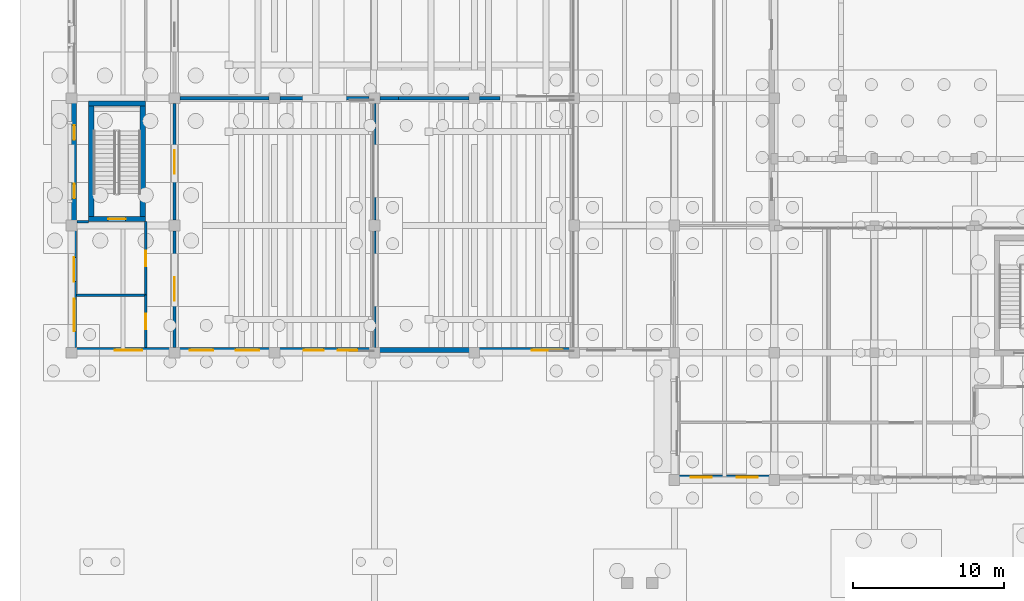
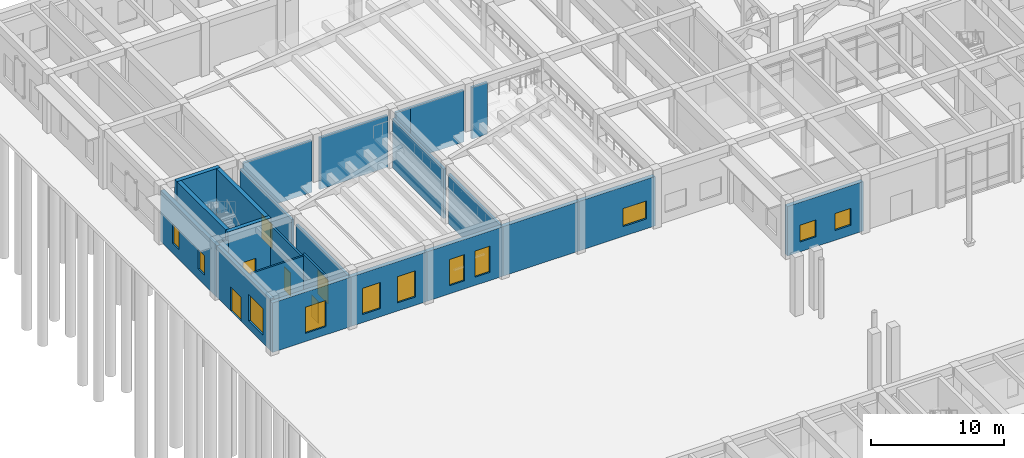
# One storey, part 54 of 82: 25 walls, 11 windows, 6 doors, 17 openings.
"""IFC4 building model written with IfcOpenShell, lengths in metres."""

from ifc_helpers import new_model, si_unit, direction, frame, frame_2d, origin, place, context, subcontext, project, spatial, rectangle, extrude, material, layer, layer_set, type_object, element, fill, save


model = new_model("IFC4")

# Units and contexts
model_context = context("Model", 3, precision=1e-05, world=origin(), true_north=direction((0.0, 1.0)))
body_context = subcontext(model_context, "Body", "Model", "MODEL_VIEW")
ifc_project = project(units=[si_unit("LENGTHUNIT", "METRE"), si_unit("AREAUNIT", "SQUARE_METRE"), si_unit("VOLUMEUNIT", "CUBIC_METRE"), si_unit("PLANEANGLEUNIT", "RADIAN"), si_unit("MASSUNIT", "GRAM", prefix="KILO")], contexts=[model_context])

# Site, building, storey
site_placement = place(None, origin())
site = spatial("IfcSite", under=ifc_project, at=site_placement, CompositionType="ELEMENT")
building_placement = place(site_placement, origin())
building = spatial("IfcBuilding", under=site, at=building_placement, Name="Kolvaren Faculty of Natural Sciences", CompositionType="ELEMENT")
storey_placement = place(building_placement, origin())
storey = spatial("IfcBuildingStorey", under=building, at=storey_placement, Name="L00", CompositionType="ELEMENT", Elevation=0.0)

# Walls
ifc_material_1 = material(Name="Autoclaved aerated fire-rated masonry blockwork", Category="masonry")
ifc_layer_1 = layer(ifc_material_1, 0.2099609375)
ifc_layer_set_1 = layer_set([ifc_layer_1], Name="Autoclaved aerated fire-rated masonry blockwork")
wall_type_1 = type_object("IfcWallType", Name="AcousticLectureWall_210", PredefinedType="PARTITIONING", material=ifc_layer_set_1)
wall_1_placement = place(storey_placement, frame((21.60009765625, 92.60009765625, 0.0), z_axis=(0.0, 0.0, 1.0), x_axis=(-1.0, 0.0, 0.0)))
element("IfcWall", 1, at=wall_1_placement, inside=storey, type_object=wall_type_1, Name="L00 interior partition PW-210", PredefinedType="PARTITIONING", context=body_context, shape_type="SweptSolid", body=[
    extrude(rectangle(XDim=1.25, YDim=0.2099609375, at=frame_2d((0.625, 0.0))), origin(), (0.0, 0.0, 1.0), 4.735107421875),
])
wall_2_placement = place(storey_placement, frame((19.64990234375, 92.60009765625, 0.0), z_axis=(0.0, 0.0, 1.0), x_axis=(-1.0, 0.0, 0.0)))
element("IfcWall", 2, at=wall_2_placement, inside=storey, type_object=wall_type_1, Name="L00 interior partition PW-210", PredefinedType="PARTITIONING", context=body_context, shape_type="SweptSolid", body=[
    extrude(rectangle(XDim=5.89990234375, YDim=0.2099609375, at=frame_2d((2.949951171875, 0.0))), origin(), (0.0, 0.0, 1.0), 4.735107421875),
])
wall_3_placement = place(storey_placement, frame((13.050048828125, 92.60009765625, 0.0), z_axis=(0.0, 0.0, 1.0), x_axis=(-1.0, 0.0, 0.0)))
element("IfcWall", 3, at=wall_3_placement, inside=storey, type_object=wall_type_1, Name="L00 interior partition PW-210", PredefinedType="PARTITIONING", context=body_context, shape_type="SweptSolid", body=[
    extrude(rectangle(XDim=5.900146484375, YDim=0.2099609375, at=frame_2d((2.9501953125, 0.0))), origin(), (0.0, 0.0, 1.0), 4.735107421875),
])

# Wall, opening, door
wall_4_placement = place(storey_placement, frame((6.800048828125, 76.14990234375, 0.0), z_axis=(0.0, 0.0, 1.0), x_axis=(0.0, 1.0, 0.0)))
wall_4 = element("IfcWall", 4, at=wall_4_placement, inside=storey, type_object=wall_type_1, Name="L00 interior partition PW-210", PredefinedType="PARTITIONING", context=body_context, shape_type="SweptSolid", body=[
    extrude(rectangle(XDim=7.7001953125, YDim=0.2099609375, at=frame_2d((3.85009765625, 0.0))), origin(), (0.0, 0.0, 1.0), 4.534912109375),
])
opening_1_placement = place(wall_4_placement, frame((3.074951171875, 0.0, 0.0)))
opening_1 = element("IfcOpeningElement", 5, at=opening_1_placement, cuts=wall_4, Name="Opening FD30-D", PredefinedType="OPENING", context=body_context, shape_type="SweptSolid", body=[
    extrude(rectangle(XDim=1.550048828125, YDim=2.199951171875, at=frame_2d((0.77490234375, 1.10009765625))), frame((0.0, 0.114990234375, 0.0), z_axis=(0.0, -1.0, 0.0), x_axis=(1.0, 0.0, 0.0)), (0.0, 0.0, 1.0), 0.22998046875),
])
ifc_material_2 = material(Name="Fire-rated solid-core hardwood door leaf in steel frame", Category="steel")
door_type_1 = type_object("IfcDoorType", Name="AssemblyDoubleFireDoor_1550x2200", OperationType="DOUBLE_DOOR_SINGLE_SWING", PredefinedType="DOOR", material=ifc_material_2)
door_1_placement = place(opening_1_placement, origin())
door_1 = element("IfcDoor", 6, at=door_1_placement, inside=storey, type_object=door_type_1, Name="D-L00-0041", OperationType="DOUBLE_DOOR_SINGLE_SWING", OverallHeight=2.199951171875, OverallWidth=1.550048828125, PredefinedType="DOOR", context=body_context, shape_type="SweptSolid", body=[
    extrude(rectangle(XDim=1.550048828125, YDim=2.199951171875, at=frame_2d((0.77490234375, 1.10009765625))), frame((0.0, 0.02490234375, 0.0), z_axis=(0.0, -1.0, 0.0), x_axis=(1.0, 0.0, 0.0)), (0.0, 0.0, 1.0), 0.050048828125),
])
fill(opening_1, door_1)

wall_5_placement = place(storey_placement, frame((6.800048828125, 84.550048828125, 0.0), z_axis=(0.0, 0.0, 1.0), x_axis=(0.0, 1.0, 0.0)))
wall_5 = element("IfcWall", 7, at=wall_5_placement, inside=storey, type_object=wall_type_1, Name="L00 interior partition PW-210", PredefinedType="PARTITIONING", context=body_context, shape_type="SweptSolid", body=[
    extrude(rectangle(XDim=7.699951171875, YDim=0.2099609375, at=frame_2d((3.85009765625, 0.0))), origin(), (0.0, 0.0, 1.0), 4.534912109375),
])
opening_2_placement = place(wall_5_placement, frame((3.074951171875, 0.0, 0.0)))
opening_2 = element("IfcOpeningElement", 8, at=opening_2_placement, cuts=wall_5, Name="Opening FD30-D", PredefinedType="OPENING", context=body_context, shape_type="SweptSolid", body=[
    extrude(rectangle(XDim=1.550048828125, YDim=2.199951171875, at=frame_2d((0.77490234375, 1.10009765625))), frame((0.0, 0.114990234375, 0.0), z_axis=(0.0, -1.0, 0.0), x_axis=(1.0, 0.0, 0.0)), (0.0, 0.0, 1.0), 0.22998046875),
])
door_2_placement = place(opening_2_placement, origin())
door_2 = element("IfcDoor", 9, at=door_2_placement, inside=storey, type_object=door_type_1, Name="D-L00-0040", OperationType="DOUBLE_DOOR_SINGLE_SWING", OverallHeight=2.199951171875, OverallWidth=1.550048828125, PredefinedType="DOOR", context=body_context, shape_type="SweptSolid", body=[
    extrude(rectangle(XDim=1.550048828125, YDim=2.199951171875, at=frame_2d((0.77490234375, 1.10009765625))), frame((0.0, 0.02490234375, 0.0), z_axis=(0.0, -1.0, 0.0), x_axis=(1.0, 0.0, 0.0)), (0.0, 0.0, 1.0), 0.050048828125),
])
fill(opening_2, door_2)

# Walls
wall_6_placement = place(storey_placement, frame((21.60009765625, 92.60009765625, 0.0), z_axis=(0.0, 0.0, 1.0), x_axis=(1.0, 0.0, 0.0)))
element("IfcWall", 10, at=wall_6_placement, inside=storey, type_object=wall_type_1, Name="L00 interior partition PW-210", PredefinedType="PARTITIONING", context=body_context, shape_type="SweptSolid", body=[
    extrude(rectangle(XDim=4.64990234375, YDim=0.2099609375, at=frame_2d((2.324951171875, 0.0))), origin(), (0.0, 0.0, 1.0), 4.735107421875),
])
wall_7_placement = place(storey_placement, frame((26.949951171875, 92.60009765625, 0.0), z_axis=(0.0, 0.0, 1.0), x_axis=(1.0, 0.0, 0.0)))
element("IfcWall", 11, at=wall_7_placement, inside=storey, type_object=wall_type_1, Name="L00 interior partition PW-210", PredefinedType="PARTITIONING", context=body_context, shape_type="SweptSolid", body=[
    extrude(rectangle(XDim=1.35009765625, YDim=0.2099609375, at=frame_2d((0.675048828125, 0.0))), origin(), (0.0, 0.0, 1.0), 4.735107421875),
])
wall_8_placement = place(storey_placement, frame((20.0, 76.14990234375, 0.0), z_axis=(0.0, 0.0, 1.0), x_axis=(0.0, 1.0, 0.0)))
element("IfcWall", 12, at=wall_8_placement, inside=storey, type_object=wall_type_1, Name="L00 interior partition PW-210", PredefinedType="PARTITIONING", context=body_context, shape_type="SweptSolid", body=[
    extrude(rectangle(XDim=7.7001953125, YDim=0.2099609375, at=frame_2d((3.85009765625, 0.0))), origin(), (0.0, 0.0, 1.0), 4.534912109375),
])
wall_9_placement = place(storey_placement, frame((20.0, 84.550048828125, 0.0), z_axis=(0.0, 0.0, 1.0), x_axis=(0.0, 1.0, 0.0)))
element("IfcWall", 13, at=wall_9_placement, inside=storey, type_object=wall_type_1, Name="L00 interior partition PW-210", PredefinedType="PARTITIONING", context=body_context, shape_type="SweptSolid", body=[
    extrude(rectangle(XDim=7.699951171875, YDim=0.2099609375, at=frame_2d((3.85009765625, 0.0))), origin(), (0.0, 0.0, 1.0), 4.534912109375),
])

# Wall, opening, door
ifc_material_3 = material(Name="Acoustic mineral-wool insulated gypsum partition")
ifc_layer_2 = layer(ifc_material_3, 0.14501953125)
ifc_layer_set_2 = layer_set([ifc_layer_2], Name="Acoustic mineral-wool insulated gypsum partition")
wall_type_2 = type_object("IfcWallType", Name="CommonsPartitionWall_145", PredefinedType="PARTITIONING", material=ifc_layer_set_2)
wall_10_placement = place(storey_placement, frame((4.89990234375, 79.60009765625, 0.0), z_axis=(0.0, 0.0, 1.0), x_axis=(0.0, -1.0, 0.0)))
wall_10 = element("IfcWall", 14, at=wall_10_placement, inside=storey, type_object=wall_type_2, Name="L00 interior partition PW-145", PredefinedType="PARTITIONING", context=body_context, shape_type="SweptSolid", body=[
    extrude(rectangle(XDim=3.4580078125, YDim=0.14501953125, at=frame_2d((1.72900390625, 0.0))), origin(), (0.0, 0.0, 1.0), 5.094970703125),
])
opening_3_placement = place(wall_10_placement, frame((1.218994140625, 0.0, 0.0)))
opening_3 = element("IfcOpeningElement", 15, at=opening_3_placement, cuts=wall_10, Name="Opening ID-04", PredefinedType="OPENING", context=body_context, shape_type="SweptSolid", body=[
    extrude(rectangle(XDim=1.02001953125, YDim=2.02001953125, at=frame_2d((0.510009765625, 1.010009765625))), frame((0.0, 0.08251953125, 0.0), z_axis=(0.0, -1.0, 0.0), x_axis=(1.0, 0.0, 0.0)), (0.0, 0.0, 1.0), 0.1650390625),
])
ifc_material_4 = material(Name="Solid-core hardwood veneer door leaf in steel frame", Category="steel")
door_type_2 = type_object("IfcDoorType", Name="InteriorRoomDoor_1020x2020", OperationType="NOTDEFINED", PredefinedType="DOOR", material=ifc_material_4)
door_3_placement = place(opening_3_placement, origin())
door_3 = element("IfcDoor", 16, at=door_3_placement, inside=storey, type_object=door_type_2, Name="D-L00-0057", OperationType="SINGLE_SWING_LEFT", OverallHeight=2.02001953125, OverallWidth=1.02001953125, PredefinedType="DOOR", context=body_context, shape_type="SweptSolid", body=[
    extrude(rectangle(XDim=1.02001953125, YDim=2.02001953125, at=frame_2d((0.510009765625, 1.010009765625))), frame((0.0, 0.02490234375, 0.0), z_axis=(0.0, -1.0, 0.0), x_axis=(1.0, 0.0, 0.0)), (0.0, 0.0, 1.0), 0.050048828125),
])
fill(opening_3, door_3)

ifc_material_5 = material(Name="Concrete C40/50", Category="concrete")
ifc_layer_3 = layer(ifc_material_5, 0.35009765625)
ifc_layer_set_3 = layer_set([ifc_layer_3], Name="Concrete C40/50")
wall_type_3 = type_object("IfcWallType", Name="CoreShearWall_350", PredefinedType="SHEAR", material=ifc_layer_set_3)
wall_11_placement = place(storey_placement, frame((4.875, 84.625, -0.320068359375), z_axis=(0.0, 0.0, 1.0), x_axis=(-1.0, 0.0, 0.0)))
wall_11 = element("IfcWall", 17, at=wall_11_placement, inside=storey, type_object=wall_type_3, Name="L00 CORE-C5 stair shear wall S", PredefinedType="SHEAR", context=body_context, shape_type="SweptSolid", body=[
    extrude(rectangle(XDim=3.75, YDim=0.35009765625, at=frame_2d((1.875, 0.0))), origin(), (0.0, 0.0, 1.0), 5.719970703125),
])
opening_4_placement = place(wall_11_placement, frame((1.300048828125, 0.0, 0.320068359375)))
opening_4 = element("IfcOpeningElement", 18, at=opening_4_placement, cuts=wall_11, Name="Opening FD90", PredefinedType="OPENING", context=body_context, shape_type="SweptSolid", body=[
    extrude(rectangle(XDim=1.14990234375, YDim=2.14990234375, at=frame_2d((0.574951171875, 1.074951171875))), frame((0.0, 0.18505859375, 0.0), z_axis=(0.0, -1.0, 0.0), x_axis=(1.0, 0.0, 0.0)), (0.0, 0.0, 1.0), 0.3701171875),
])
door_type_3 = type_object("IfcDoorType", Name="StairCoreFireDoor_1150x2150", OperationType="NOTDEFINED", PredefinedType="DOOR", material=ifc_material_2)
door_4_placement = place(opening_4_placement, origin())
door_4 = element("IfcDoor", 19, at=door_4_placement, inside=storey, type_object=door_type_3, Name="D-ST-ST-5-L00", OperationType="SINGLE_SWING_RIGHT", OverallHeight=2.14990234375, OverallWidth=1.14990234375, PredefinedType="DOOR", context=body_context, shape_type="SweptSolid", body=[
    extrude(rectangle(XDim=1.14990234375, YDim=2.14990234375, at=frame_2d((0.574951171875, 1.074951171875))), frame((0.0, 0.02490234375, 0.0), z_axis=(0.0, -1.0, 0.0), x_axis=(1.0, 0.0, 0.0)), (0.0, 0.0, 1.0), 0.050048828125),
])
fill(opening_4, door_4)

# Walls
wall_12_placement = place(storey_placement, frame((1.125, 92.25, -0.320068359375), z_axis=(0.0, 0.0, 1.0), x_axis=(1.0, 0.0, 0.0)))
element("IfcWall", 20, at=wall_12_placement, inside=storey, type_object=wall_type_3, Name="L00 CORE-C5 stair shear wall N", PredefinedType="SHEAR", context=body_context, shape_type="SweptSolid", body=[
    extrude(rectangle(XDim=3.75, YDim=0.35009765625, at=frame_2d((1.875, 0.0))), origin(), (0.0, 0.0, 1.0), 5.719970703125),
])
for number, where, z_axis, x_axis, name in (
    (21, (1.300048828125, 84.800048828125, -0.320068359375), (0.0, 0.0, 1.0), (0.0, 1.0, 0.0), "L00 CORE-C5 stair shear wall W"),
    (22, (4.699951171875, 84.800048828125, -0.320068359375), (0.0, 0.0, 1.0), (0.0, 1.0, 0.0), "L00 CORE-C5 stair shear wall E"),
):
    element("IfcWall", number, at=place(storey_placement, frame(where, z_axis=z_axis, x_axis=x_axis)), inside=storey, type_object=wall_type_3, Name=name, PredefinedType="SHEAR", context=body_context, shape_type="SweptSolid", body=[
        extrude(rectangle(XDim=7.27490234375, YDim=0.35009765625, at=frame_2d((3.637451171875, 0.0))), origin(), (0.0, 0.0, 1.0), 5.719970703125),
    ])

# Wall, openings, windows
ifc_material_6 = material(Name="Sandstone-faced insulated cavity masonry", Category="masonry")
ifc_layer_4 = layer(ifc_material_6, 0.340087890625)
ifc_layer_set_4 = layer_set([ifc_layer_4], Name="Sandstone-faced insulated cavity masonry")
wall_type_4 = type_object("IfcWallType", Name="ExteriorCavityWall_340", PredefinedType="STANDARD", material=ifc_layer_set_4)
wall_13_placement = place(storey_placement, frame((46.39990234375, 67.570068359375, 0.0), z_axis=(0.0, 0.0, 1.0), x_axis=(-1.0, 0.0, 0.0)))
wall_13 = element("IfcWall", 23, at=wall_13_placement, inside=storey, type_object=wall_type_4, Name="L00 exterior masonry wall EW-340 (45)", PredefinedType="STANDARD", context=body_context, shape_type="SweptSolid", body=[
    extrude(rectangle(XDim=6.599853515625, YDim=0.340087890625, at=frame_2d((3.2998046875, 0.0))), origin(), (0.0, 0.0, 1.0), 4.534912109375),
])
opening_5_placement = place(wall_13_placement, frame((1.08203125, 0.0, 0.89990234375)))
opening_5 = element("IfcOpeningElement", 24, at=opening_5_placement, cuts=wall_13, Name="Opening WIN-14", PredefinedType="OPENING", context=body_context, shape_type="SweptSolid", body=[
    extrude(rectangle(XDim=1.39990234375, YDim=1.550048828125, at=frame_2d((0.699951171875, 0.77490234375))), frame((0.0, 0.179931640625, 0.0), z_axis=(0.0, -1.0, 0.0), x_axis=(1.0, 0.0, 0.0)), (0.0, 0.0, 1.0), 0.360107421875),
])
opening_6_placement = place(wall_13_placement, frame((4.117919921875, 0.0, 0.89990234375)))
opening_6 = element("IfcOpeningElement", 25, at=opening_6_placement, cuts=wall_13, Name="Opening WIN-14", PredefinedType="OPENING", context=body_context, shape_type="SweptSolid", body=[
    extrude(rectangle(XDim=1.39990234375, YDim=1.550048828125, at=frame_2d((0.699951171875, 0.77490234375))), frame((0.0, 0.179931640625, 0.0), z_axis=(0.0, -1.0, 0.0), x_axis=(1.0, 0.0, 0.0)), (0.0, 0.0, 1.0), 0.360107421875),
])
ifc_material_7 = material(Name="Double low-E solar control insulated glazing", Category="glass")
window_type_1 = type_object("IfcWindowType", Name="AluWindow_WIN14_1400x1550", PartitioningType="SINGLE_PANEL", PredefinedType="WINDOW", material=ifc_material_7)
window_1_placement = place(opening_5_placement, origin())
window_1 = element("IfcWindow", 26, at=window_1_placement, inside=storey, type_object=window_type_1, Name="WIN-L00-0044", OverallHeight=1.550048828125, OverallWidth=1.39990234375, PartitioningType="SINGLE_PANEL", PredefinedType="WINDOW", context=body_context, shape_type="SweptSolid", body=[
    extrude(rectangle(XDim=1.39990234375, YDim=1.550048828125, at=frame_2d((0.699951171875, 0.77490234375))), frame((0.0, 0.030029296875, 0.0), z_axis=(0.0, -1.0, 0.0), x_axis=(1.0, 0.0, 0.0)), (0.0, 0.0, 1.0), 0.06005859375),
])
fill(opening_5, window_1)
window_2_placement = place(opening_6_placement, origin())
window_2 = element("IfcWindow", 27, at=window_2_placement, inside=storey, type_object=window_type_1, Name="WIN-L00-0045", OverallHeight=1.550048828125, OverallWidth=1.39990234375, PartitioningType="SINGLE_PANEL", PredefinedType="WINDOW", context=body_context, shape_type="SweptSolid", body=[
    extrude(rectangle(XDim=1.39990234375, YDim=1.550048828125, at=frame_2d((0.699951171875, 0.77490234375))), frame((0.0, 0.030029296875, 0.0), z_axis=(0.0, -1.0, 0.0), x_axis=(1.0, 0.0, 0.0)), (0.0, 0.0, 1.0), 0.06005859375),
])
fill(opening_6, window_2)

# Wall, opening, window
wall_14_placement = place(storey_placement, frame((33.199951171875, 75.969970703125, 0.0), z_axis=(0.0, 0.0, 1.0), x_axis=(-1.0, 0.0, 0.0)))
wall_14 = element("IfcWall", 28, at=wall_14_placement, inside=storey, type_object=wall_type_4, Name="L00 exterior masonry wall EW-340 (48)", PredefinedType="STANDARD", context=body_context, shape_type="SweptSolid", body=[
    extrude(rectangle(XDim=6.599853515625, YDim=0.340087890625, at=frame_2d((3.2998046875, 0.0))), origin(), (0.0, 0.0, 1.0), 4.534912109375),
])
opening_7_placement = place(wall_14_placement, frame((0.757080078125, 0.0, 0.89990234375)))
opening_7 = element("IfcOpeningElement", 29, at=opening_7_placement, cuts=wall_14, Name="Opening WIN-17", PredefinedType="OPENING", context=body_context, shape_type="SweptSolid", body=[
    extrude(rectangle(XDim=2.050048828125, YDim=1.64990234375, at=frame_2d((1.02490234375, 0.824951171875))), frame((0.0, 0.179931640625, 0.0), z_axis=(0.0, -1.0, 0.0), x_axis=(1.0, 0.0, 0.0)), (0.0, 0.0, 1.0), 0.360107421875),
])
window_type_2 = type_object("IfcWindowType", Name="AluWindow_WIN17_2050x1650", PartitioningType="SINGLE_PANEL", PredefinedType="WINDOW", material=ifc_material_7)
window_3_placement = place(opening_7_placement, origin())
window_3 = element("IfcWindow", 30, at=window_3_placement, inside=storey, type_object=window_type_2, Name="WIN-L00-0050", OverallHeight=1.64990234375, OverallWidth=2.050048828125, PartitioningType="SINGLE_PANEL", PredefinedType="WINDOW", context=body_context, shape_type="SweptSolid", body=[
    extrude(rectangle(XDim=2.050048828125, YDim=1.64990234375, at=frame_2d((1.02490234375, 0.824951171875))), frame((0.0, 0.030029296875, 0.0), z_axis=(0.0, -1.0, 0.0), x_axis=(1.0, 0.0, 0.0)), (0.0, 0.0, 1.0), 0.06005859375),
])
fill(opening_7, window_3)

# Wall
wall_15_placement = place(storey_placement, frame((26.60009765625, 75.969970703125, 0.0), z_axis=(0.0, 0.0, 1.0), x_axis=(-1.0, 0.0, 0.0)))
element("IfcWall", 31, at=wall_15_placement, inside=storey, type_object=wall_type_4, Name="L00 exterior masonry wall EW-340 (49)", PredefinedType="STANDARD", context=body_context, shape_type="SweptSolid", body=[
    extrude(rectangle(XDim=6.60009765625, YDim=0.340087890625, at=frame_2d((3.300048828125, 0.0))), origin(), (0.0, 0.0, 1.0), 4.534912109375),
])

# Wall, openings, windows
wall_16_placement = place(storey_placement, frame((20.0, 75.969970703125, 0.0), z_axis=(0.0, 0.0, 1.0), x_axis=(-1.0, 0.0, 0.0)))
wall_16 = element("IfcWall", 32, at=wall_16_placement, inside=storey, type_object=wall_type_4, Name="L00 exterior masonry wall EW-340 (50)", PredefinedType="STANDARD", context=body_context, shape_type="SweptSolid", body=[
    extrude(rectangle(XDim=6.60009765625, YDim=0.340087890625, at=frame_2d((3.300048828125, 0.0))), origin(), (0.0, 0.0, 1.0), 4.534912109375),
])
opening_8_placement = place(wall_16_placement, frame((1.132080078125, 0.0, 0.75)))
opening_8 = element("IfcOpeningElement", 33, at=opening_8_placement, cuts=wall_16, Name="Opening WIN-19", PredefinedType="OPENING", context=body_context, shape_type="SweptSolid", body=[
    extrude(rectangle(XDim=1.300048828125, YDim=2.39990234375, at=frame_2d((0.64990234375, 1.199951171875))), frame((0.0, 0.179931640625, 0.0), z_axis=(0.0, -1.0, 0.0), x_axis=(1.0, 0.0, 0.0)), (0.0, 0.0, 1.0), 0.360107421875),
])
opening_9_placement = place(wall_16_placement, frame((3.360107421875, 0.0, 0.75)))
opening_9 = element("IfcOpeningElement", 34, at=opening_9_placement, cuts=wall_16, Name="Opening WIN-19", PredefinedType="OPENING", context=body_context, shape_type="SweptSolid", body=[
    extrude(rectangle(XDim=1.300048828125, YDim=2.39990234375, at=frame_2d((0.64990234375, 1.199951171875))), frame((0.0, 0.179931640625, 0.0), z_axis=(0.0, -1.0, 0.0), x_axis=(1.0, 0.0, 0.0)), (0.0, 0.0, 1.0), 0.360107421875),
])
window_type_3 = type_object("IfcWindowType", Name="AluWindow_WIN19_1300x2400", PartitioningType="SINGLE_PANEL", PredefinedType="WINDOW", material=ifc_material_7)
window_4_placement = place(opening_8_placement, origin())
window_4 = element("IfcWindow", 35, at=window_4_placement, inside=storey, type_object=window_type_3, Name="WIN-L00-0051", OverallHeight=2.39990234375, OverallWidth=1.300048828125, PartitioningType="SINGLE_PANEL", PredefinedType="WINDOW", context=body_context, shape_type="SweptSolid", body=[
    extrude(rectangle(XDim=1.300048828125, YDim=2.39990234375, at=frame_2d((0.64990234375, 1.199951171875))), frame((0.0, 0.030029296875, 0.0), z_axis=(0.0, -1.0, 0.0), x_axis=(1.0, 0.0, 0.0)), (0.0, 0.0, 1.0), 0.06005859375),
])
fill(opening_8, window_4)
window_5_placement = place(opening_9_placement, origin())
window_5 = element("IfcWindow", 36, at=window_5_placement, inside=storey, type_object=window_type_3, Name="WIN-L00-0052", OverallHeight=2.39990234375, OverallWidth=1.300048828125, PartitioningType="SINGLE_PANEL", PredefinedType="WINDOW", context=body_context, shape_type="SweptSolid", body=[
    extrude(rectangle(XDim=1.300048828125, YDim=2.39990234375, at=frame_2d((0.64990234375, 1.199951171875))), frame((0.0, 0.030029296875, 0.0), z_axis=(0.0, -1.0, 0.0), x_axis=(1.0, 0.0, 0.0)), (0.0, 0.0, 1.0), 0.06005859375),
])
fill(opening_9, window_5)

wall_17_placement = place(storey_placement, frame((13.39990234375, 75.969970703125, 0.0), z_axis=(0.0, 0.0, 1.0), x_axis=(-1.0, 0.0, 0.0)))
wall_17 = element("IfcWall", 37, at=wall_17_placement, inside=storey, type_object=wall_type_4, Name="L00 exterior masonry wall EW-340 (51)", PredefinedType="STANDARD", context=body_context, shape_type="SweptSolid", body=[
    extrude(rectangle(XDim=6.599853515625, YDim=0.340087890625, at=frame_2d((3.2998046875, 0.0))), origin(), (0.0, 0.0, 1.0), 4.534912109375),
])
opening_10_placement = place(wall_17_placement, frame((1.007080078125, 0.0, 0.75)))
opening_10 = element("IfcOpeningElement", 38, at=opening_10_placement, cuts=wall_17, Name="Opening WIN-20", PredefinedType="OPENING", context=body_context, shape_type="SweptSolid", body=[
    extrude(rectangle(XDim=1.550048828125, YDim=2.39990234375, at=frame_2d((0.77490234375, 1.199951171875))), frame((0.0, 0.179931640625, 0.0), z_axis=(0.0, -1.0, 0.0), x_axis=(1.0, 0.0, 0.0)), (0.0, 0.0, 1.0), 0.360107421875),
])
opening_11_placement = place(wall_17_placement, frame((4.04296875, 0.0, 0.75)))
opening_11 = element("IfcOpeningElement", 39, at=opening_11_placement, cuts=wall_17, Name="Opening WIN-20", PredefinedType="OPENING", context=body_context, shape_type="SweptSolid", body=[
    extrude(rectangle(XDim=1.550048828125, YDim=2.39990234375, at=frame_2d((0.77490234375, 1.199951171875))), frame((0.0, 0.179931640625, 0.0), z_axis=(0.0, -1.0, 0.0), x_axis=(1.0, 0.0, 0.0)), (0.0, 0.0, 1.0), 0.360107421875),
])
window_type_4 = type_object("IfcWindowType", Name="AluWindow_WIN20_1550x2400", PartitioningType="SINGLE_PANEL", PredefinedType="WINDOW", material=ifc_material_7)
window_6_placement = place(opening_10_placement, origin())
window_6 = element("IfcWindow", 40, at=window_6_placement, inside=storey, type_object=window_type_4, Name="WIN-L00-0053", OverallHeight=2.39990234375, OverallWidth=1.550048828125, PartitioningType="SINGLE_PANEL", PredefinedType="WINDOW", context=body_context, shape_type="SweptSolid", body=[
    extrude(rectangle(XDim=1.550048828125, YDim=2.39990234375, at=frame_2d((0.77490234375, 1.199951171875))), frame((0.0, 0.030029296875, 0.0), z_axis=(0.0, -1.0, 0.0), x_axis=(1.0, 0.0, 0.0)), (0.0, 0.0, 1.0), 0.06005859375),
])
fill(opening_10, window_6)
window_7_placement = place(opening_11_placement, origin())
window_7 = element("IfcWindow", 41, at=window_7_placement, inside=storey, type_object=window_type_4, Name="WIN-L00-0054", OverallHeight=2.39990234375, OverallWidth=1.550048828125, PartitioningType="SINGLE_PANEL", PredefinedType="WINDOW", context=body_context, shape_type="SweptSolid", body=[
    extrude(rectangle(XDim=1.550048828125, YDim=2.39990234375, at=frame_2d((0.77490234375, 1.199951171875))), frame((0.0, 0.030029296875, 0.0), z_axis=(0.0, -1.0, 0.0), x_axis=(1.0, 0.0, 0.0)), (0.0, 0.0, 1.0), 0.06005859375),
])
fill(opening_11, window_7)

# Wall, opening, window
wall_18_placement = place(storey_placement, frame((6.800048828125, 75.969970703125, 0.0), z_axis=(0.0, 0.0, 1.0), x_axis=(-1.0, 0.0, 0.0)))
wall_18 = element("IfcWall", 42, at=wall_18_placement, inside=storey, type_object=wall_type_4, Name="L00 exterior masonry wall EW-340 (52)", PredefinedType="STANDARD", context=body_context, shape_type="SweptSolid", body=[
    extrude(rectangle(XDim=6.800048828125, YDim=0.340087890625, at=frame_2d((3.39990234375, 0.0))), origin(), (0.0, 0.0, 1.0), 4.534912109375),
])
opening_12_placement = place(wall_18_placement, frame((2.139892578125, 0.0, 0.75)))
opening_12 = element("IfcOpeningElement", 43, at=opening_12_placement, cuts=wall_18, Name="Opening WIN-21", PredefinedType="OPENING", context=body_context, shape_type="SweptSolid", body=[
    extrude(rectangle(XDim=1.800048828125, YDim=2.39990234375, at=frame_2d((0.89990234375, 1.199951171875))), frame((0.0, 0.179931640625, 0.0), z_axis=(0.0, -1.0, 0.0), x_axis=(1.0, 0.0, 0.0)), (0.0, 0.0, 1.0), 0.360107421875),
])
window_type_5 = type_object("IfcWindowType", Name="AluWindow_WIN21_1800x2400", PartitioningType="SINGLE_PANEL", PredefinedType="WINDOW", material=ifc_material_7)
window_8_placement = place(opening_12_placement, origin())
window_8 = element("IfcWindow", 44, at=window_8_placement, inside=storey, type_object=window_type_5, Name="WIN-L00-0055", OverallHeight=2.39990234375, OverallWidth=1.800048828125, PartitioningType="SINGLE_PANEL", PredefinedType="WINDOW", context=body_context, shape_type="SweptSolid", body=[
    extrude(rectangle(XDim=1.800048828125, YDim=2.39990234375, at=frame_2d((0.89990234375, 1.199951171875))), frame((0.0, 0.030029296875, 0.0), z_axis=(0.0, -1.0, 0.0), x_axis=(1.0, 0.0, 0.0)), (0.0, 0.0, 1.0), 0.06005859375),
])
fill(opening_12, window_8)

# Wall, openings, window, door
wall_19_placement = place(storey_placement, frame((0.169921875, 76.139892578125, 0.0), z_axis=(0.0, 0.0, 1.0), x_axis=(0.0, 1.0, 0.0)))
wall_19 = element("IfcWall", 45, at=wall_19_placement, inside=storey, type_object=wall_type_4, Name="L00 exterior masonry wall EW-340 (53)", PredefinedType="STANDARD", context=body_context, shape_type="SweptSolid", body=[
    extrude(rectangle(XDim=8.06005859375, YDim=0.340087890625, at=frame_2d((4.030029296875, 0.0))), origin(), (0.0, 0.0, 1.0), 4.68505859375),
])
opening_13_placement = place(wall_19_placement, frame((4.360107421875, 0.0, 0.0)))
opening_13 = element("IfcOpeningElement", 46, at=opening_13_placement, cuts=wall_19, Name="Opening ED-03", PredefinedType="OPENING", context=body_context, shape_type="SweptSolid", body=[
    extrude(rectangle(XDim=1.60009765625, YDim=2.199951171875, at=frame_2d((0.800048828125, 1.10009765625))), frame((0.0, 0.179931640625, 0.0), z_axis=(0.0, -1.0, 0.0), x_axis=(1.0, 0.0, 0.0)), (0.0, 0.0, 1.0), 0.360107421875),
])
opening_14_placement = place(wall_19_placement, frame((1.070068359375, 0.0, 0.75)))
opening_14 = element("IfcOpeningElement", 47, at=opening_14_placement, cuts=wall_19, Name="Opening WIN-22", PredefinedType="OPENING", context=body_context, shape_type="SweptSolid", body=[
    extrude(rectangle(XDim=2.14990234375, YDim=2.39990234375, at=frame_2d((1.074951171875, 1.199951171875))), frame((0.0, 0.179931640625, 0.0), z_axis=(0.0, -1.0, 0.0), x_axis=(1.0, 0.0, 0.0)), (0.0, 0.0, 1.0), 0.360107421875),
])
window_type_6 = type_object("IfcWindowType", Name="AluWindow_WIN22_2150x2400", PartitioningType="SINGLE_PANEL", PredefinedType="WINDOW", material=ifc_material_7)
window_9_placement = place(opening_14_placement, origin())
window_9 = element("IfcWindow", 48, at=window_9_placement, inside=storey, type_object=window_type_6, Name="WIN-L00-0056", OverallHeight=2.39990234375, OverallWidth=2.14990234375, PartitioningType="SINGLE_PANEL", PredefinedType="WINDOW", context=body_context, shape_type="SweptSolid", body=[
    extrude(rectangle(XDim=2.14990234375, YDim=2.39990234375, at=frame_2d((1.074951171875, 1.199951171875))), frame((0.0, 0.030029296875, 0.0), z_axis=(0.0, -1.0, 0.0), x_axis=(1.0, 0.0, 0.0)), (0.0, 0.0, 1.0), 0.06005859375),
])
fill(opening_14, window_9)
ifc_material_8 = material(Name="Thermally broken anodised aluminium framing", Category="aluminium")
door_type_4 = type_object("IfcDoorType", Name="FinalExitDoubleDoor_1600x2200", OperationType="DOUBLE_DOOR_SINGLE_SWING", PredefinedType="DOOR", material=ifc_material_8)
door_5_placement = place(opening_13_placement, origin())
door_5 = element("IfcDoor", 49, at=door_5_placement, inside=storey, type_object=door_type_4, Name="D-L00-EX-01", OperationType="DOUBLE_DOOR_SINGLE_SWING", OverallHeight=2.199951171875, OverallWidth=1.60009765625, PredefinedType="DOOR", context=body_context, shape_type="SweptSolid", body=[
    extrude(rectangle(XDim=1.60009765625, YDim=2.199951171875, at=frame_2d((0.800048828125, 1.10009765625))), frame((0.0, 0.02490234375, 0.0), z_axis=(0.0, -1.0, 0.0), x_axis=(1.0, 0.0, 0.0)), (0.0, 0.0, 1.0), 0.050048828125),
])
fill(opening_13, door_5)

# Wall, openings, windows
wall_20_placement = place(storey_placement, frame((0.169921875, 84.199951171875, 0.0), z_axis=(0.0, 0.0, 1.0), x_axis=(0.0, 1.0, 0.0)))
wall_20 = element("IfcWall", 50, at=wall_20_placement, inside=storey, type_object=wall_type_4, Name="L00 exterior masonry wall EW-340 (54)", PredefinedType="STANDARD", context=body_context, shape_type="SweptSolid", body=[
    extrude(rectangle(XDim=8.400146484375, YDim=0.340087890625, at=frame_2d((4.2001953125, 0.0))), origin(), (0.0, 0.0, 1.0), 4.68505859375),
])
opening_15_placement = place(wall_20_placement, frame((1.79296875, 0.0, 0.89990234375)))
opening_15 = element("IfcOpeningElement", 51, at=opening_15_placement, cuts=wall_20, Name="Opening WIN-23", PredefinedType="OPENING", context=body_context, shape_type="SweptSolid", body=[
    extrude(rectangle(XDim=0.949951171875, YDim=1.800048828125, at=frame_2d((0.47509765625, 0.89990234375))), frame((0.0, 0.179931640625, 0.0), z_axis=(0.0, -1.0, 0.0), x_axis=(1.0, 0.0, 0.0)), (0.0, 0.0, 1.0), 0.360107421875),
])
opening_16_placement = place(wall_20_placement, frame((5.656982421875, 0.0, 0.89990234375)))
opening_16 = element("IfcOpeningElement", 52, at=opening_16_placement, cuts=wall_20, Name="Opening WIN-23", PredefinedType="OPENING", context=body_context, shape_type="SweptSolid", body=[
    extrude(rectangle(XDim=0.949951171875, YDim=1.800048828125, at=frame_2d((0.47509765625, 0.89990234375))), frame((0.0, 0.179931640625, 0.0), z_axis=(0.0, -1.0, 0.0), x_axis=(1.0, 0.0, 0.0)), (0.0, 0.0, 1.0), 0.360107421875),
])
window_type_7 = type_object("IfcWindowType", Name="AluWindow_WIN23_950x1800", PartitioningType="SINGLE_PANEL", PredefinedType="WINDOW", material=ifc_material_7)
window_10_placement = place(opening_15_placement, origin())
window_10 = element("IfcWindow", 53, at=window_10_placement, inside=storey, type_object=window_type_7, Name="WIN-L00-0057", OverallHeight=1.800048828125, OverallWidth=0.949951171875, PartitioningType="SINGLE_PANEL", PredefinedType="WINDOW", context=body_context, shape_type="SweptSolid", body=[
    extrude(rectangle(XDim=0.949951171875, YDim=1.800048828125, at=frame_2d((0.47509765625, 0.89990234375))), frame((0.0, 0.030029296875, 0.0), z_axis=(0.0, -1.0, 0.0), x_axis=(1.0, 0.0, 0.0)), (0.0, 0.0, 1.0), 0.06005859375),
])
fill(opening_15, window_10)
window_11_placement = place(opening_16_placement, origin())
window_11 = element("IfcWindow", 54, at=window_11_placement, inside=storey, type_object=window_type_7, Name="WIN-L00-0058", OverallHeight=1.800048828125, OverallWidth=0.949951171875, PartitioningType="SINGLE_PANEL", PredefinedType="WINDOW", context=body_context, shape_type="SweptSolid", body=[
    extrude(rectangle(XDim=0.949951171875, YDim=1.800048828125, at=frame_2d((0.47509765625, 0.89990234375))), frame((0.0, 0.030029296875, 0.0), z_axis=(0.0, -1.0, 0.0), x_axis=(1.0, 0.0, 0.0)), (0.0, 0.0, 1.0), 0.06005859375),
])
fill(opening_16, window_11)

# Walls
ifc_material_9 = material(Name="Double fire-rated gypsum board on 100 mm steel stud", Category="steel")
ifc_layer_5 = layer(ifc_material_9, 0.14990234375)
ifc_layer_set_5 = layer_set([ifc_layer_5], Name="Double fire-rated gypsum board on 100 mm steel stud")
wall_type_5 = type_object("IfcWallType", Name="RatedCorridorWall_150", PredefinedType="PARTITIONING", material=ifc_layer_set_5)
wall_21_placement = place(storey_placement, frame((4.89990234375, 79.60009765625, 0.0), z_axis=(0.0, 0.0, 1.0), x_axis=(-1.0, 0.0, 0.0)))
element("IfcWall", 55, at=wall_21_placement, inside=storey, type_object=wall_type_5, Name="L00 interior partition LW-150", PredefinedType="PARTITIONING", context=body_context, shape_type="SweptSolid", body=[
    extrude(rectangle(XDim=4.557861328125, YDim=0.14990234375, at=frame_2d((2.27880859375, 0.0))), origin(), (0.0, 0.0, 1.0), 4.885009765625),
])
wall_22_placement = place(storey_placement, frame((0.35009765625, 84.449951171875, 0.0), z_axis=(0.0, 0.0, 1.0), x_axis=(1.0, 0.0, 0.0)))
element("IfcWall", 56, at=wall_22_placement, inside=storey, type_object=wall_type_5, Name="L00 interior partition LW-150", PredefinedType="PARTITIONING", context=body_context, shape_type="SweptSolid", body=[
    extrude(rectangle(XDim=0.77490234375, YDim=0.14990234375, at=frame_2d((0.387451171875, 0.0))), origin(), (0.0, 0.0, 1.0), 4.735107421875),
])

# Wall, opening, door
wall_23_placement = place(storey_placement, frame((4.89990234375, 84.449951171875, 0.0), z_axis=(0.0, 0.0, 1.0), x_axis=(0.0, -1.0, 0.0)))
wall_23 = element("IfcWall", 57, at=wall_23_placement, inside=storey, type_object=wall_type_5, Name="L00 interior partition LW-150", PredefinedType="PARTITIONING", context=body_context, shape_type="SweptSolid", body=[
    extrude(rectangle(XDim=4.849853515625, YDim=0.14990234375, at=frame_2d((2.4248046875, 0.0))), origin(), (0.0, 0.0, 1.0), 4.735107421875),
])
opening_17_placement = place(wall_23_placement, frame((1.925048828125, 0.0, 0.0)))
opening_17 = element("IfcOpeningElement", 58, at=opening_17_placement, cuts=wall_23, Name="Opening FD30", PredefinedType="OPENING", context=body_context, shape_type="SweptSolid", body=[
    extrude(rectangle(XDim=1.0, YDim=2.10009765625, at=frame_2d((0.5, 1.050048828125))), frame((0.0, 0.0849609375, 0.0), z_axis=(0.0, -1.0, 0.0), x_axis=(1.0, 0.0, 0.0)), (0.0, 0.0, 1.0), 0.169921875),
])
door_type_5 = type_object("IfcDoorType", Name="CorridorFireDoor_1000x2100", OperationType="NOTDEFINED", PredefinedType="DOOR", material=ifc_material_2)
door_6_placement = place(opening_17_placement, origin())
door_6 = element("IfcDoor", 59, at=door_6_placement, inside=storey, type_object=door_type_5, Name="D-L00-0032", OperationType="SINGLE_SWING_LEFT", OverallHeight=2.10009765625, OverallWidth=1.0, PredefinedType="DOOR", context=body_context, shape_type="SweptSolid", body=[
    extrude(rectangle(XDim=1.0, YDim=2.10009765625, at=frame_2d((0.5, 1.050048828125))), frame((0.0, 0.02490234375, 0.0), z_axis=(0.0, -1.0, 0.0), x_axis=(1.0, 0.0, 0.0)), (0.0, 0.0, 1.0), 0.050048828125),
])
fill(opening_17, door_6)

save(model, "model.ifc")
